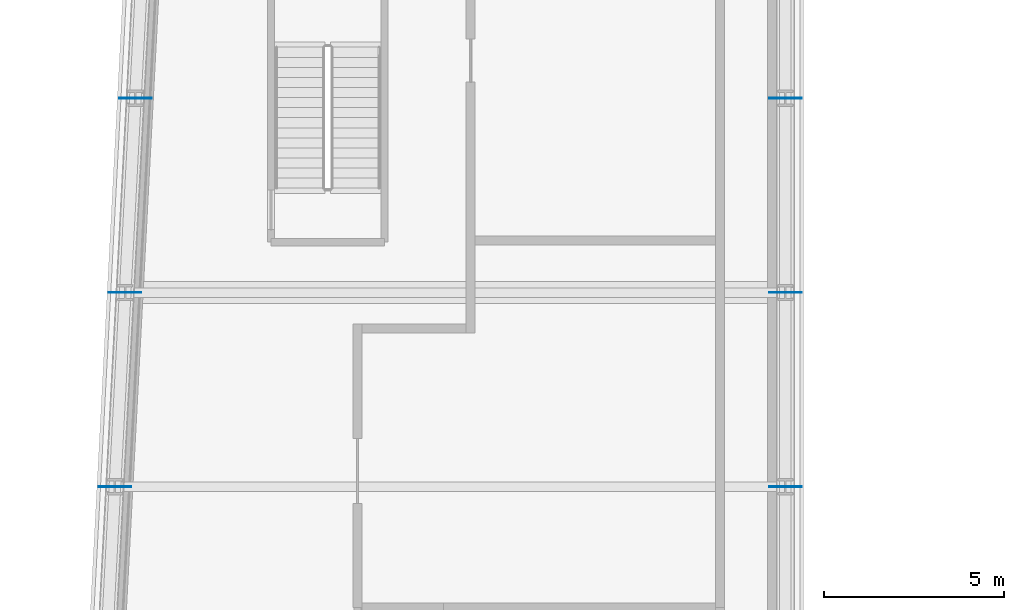
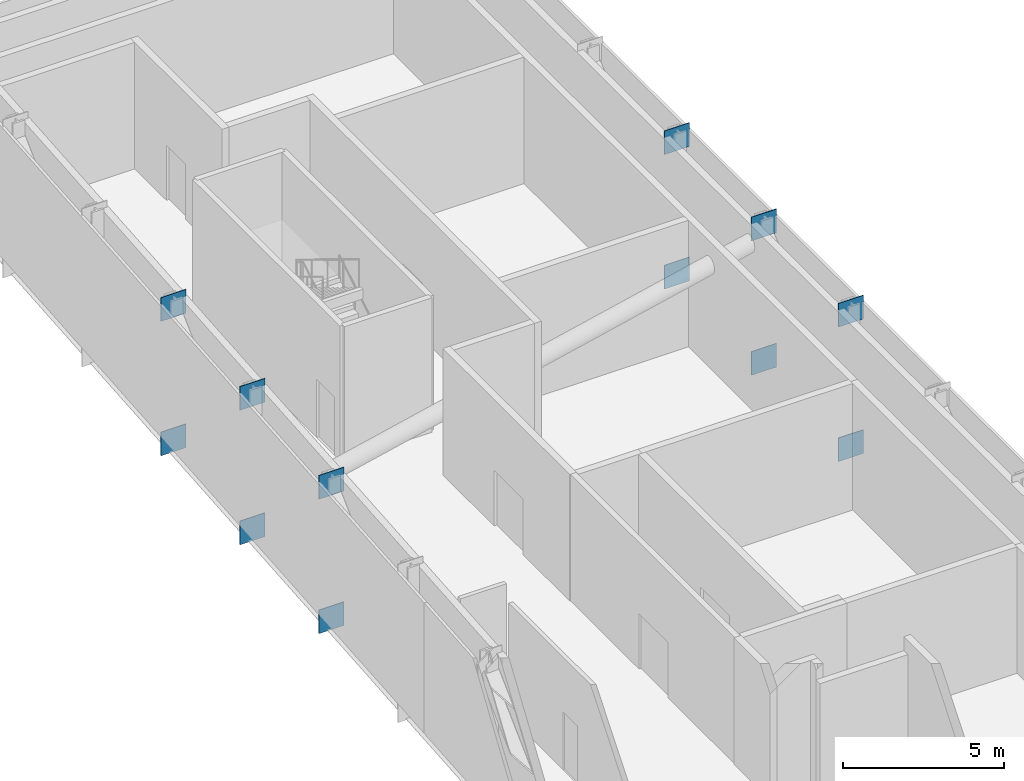
# One storey, part 13 of 30: 12 plates.
"""IFC4 building model written with IfcOpenShell, lengths in metres."""

from ifc_helpers import new_model, si_unit, direction, frame, origin, origin_2d, place, context, subcontext, project, spatial, rectangle, extrude, material, layer, layer_set, type_object, element, save


model = new_model("IFC4")

# Units and contexts
model_context = context("Model", 3, precision=1e-05, world=origin(), true_north=direction((0.0, 1.0)))
body_context = subcontext(model_context, "Body", "Model", "MODEL_VIEW")
ifc_project = project(units=[si_unit("LENGTHUNIT", "METRE"), si_unit("AREAUNIT", "SQUARE_METRE"), si_unit("VOLUMEUNIT", "CUBIC_METRE"), si_unit("PLANEANGLEUNIT", "RADIAN"), si_unit("MASSUNIT", "GRAM", prefix="KILO")], contexts=[model_context])

# Site, building, storey
site_placement = place(None, origin())
site = spatial("IfcSite", under=ifc_project, at=site_placement, CompositionType="ELEMENT")
building_placement = place(site_placement, origin())
building = spatial("IfcBuilding", under=site, at=building_placement, Name="Kheshtan School and Residences Tower", CompositionType="ELEMENT")
storey_placement = place(building_placement, frame((0.0, 0.0, 89.0)))
storey = spatial("IfcBuildingStorey", under=building, at=storey_placement, Name="L20", CompositionType="ELEMENT", Elevation=89.0)

# Plates
ifc_material = material(Name="Steel ASTM A992 Grade 50", Category="steel")
ifc_layer = layer(ifc_material, 0.02490234375)
ifc_layer_set = layer_set([ifc_layer], Name="Gusset plate 25 Steel ASTM A992 Grade 50")
plate_type = type_object("IfcPlateType", Name="Gusset plate 25 Steel ASTM A992 Grade 50", PredefinedType="SHEET", material=ifc_layer_set)
for number, where, z_axis, x_axis, name in (
    (1, (47.60009765625, 83.39990234375, 4.300048828125), (0.0, 0.0, 1.0), (1.0, 0.0, 0.0), "Gusset plate 8"),
    (2, (47.60009765625, 83.39990234375, -0.800048828125), (0.0, 0.0, 1.0), (1.0, 0.0, 0.0), "Gusset plate 9"),
    (3, (47.60009765625, 78.0, 4.300048828125), (0.0, 0.0, 1.0), (1.0, 0.0, 0.0), "Gusset plate 10"),
    (4, (47.60009765625, 78.0, -0.800048828125), (0.0, 0.0, 1.0), (1.0, 0.0, 0.0), "Gusset plate 11"),
    (5, (47.60009765625, 72.60009765625, 4.300048828125), (0.0, 0.0, 1.0), (1.0, 0.0, 0.0), "Gusset plate 12"),
    (6, (47.60009765625, 72.60009765625, -0.800048828125), (0.0, 0.0, 1.0), (1.0, 0.0, 0.0), "Gusset plate 13"),
    (7, (28.9580078125, 72.60009765625, 4.300048828125), (0.0, 0.0, 1.0), (1.0, 0.0, 0.0), "Gusset plate 78"),
    (8, (28.9580078125, 72.60009765625, -0.800048828125), (0.0, 0.0, 1.0), (1.0, 0.0, 0.0), "Gusset plate 79"),
    (9, (29.242919921875, 78.0, 4.300048828125), (0.0, 0.0, 1.0), (1.0, 0.0, 0.0), "Gusset plate 80"),
    (10, (29.242919921875, 78.0, -0.800048828125), (0.0, 0.0, 1.0), (1.0, 0.0, 0.0), "Gusset plate 81"),
    (11, (29.527099609375, 83.39990234375, 4.300048828125), (0.0, 0.0, 1.0), (1.0, 0.0, 0.0), "Gusset plate 82"),
    (12, (29.527099609375, 83.39990234375, -0.800048828125), (0.0, 0.0, 1.0), (1.0, 0.0, 0.0), "Gusset plate 83"),
):
    element("IfcPlate", number, at=place(storey_placement, frame(where, z_axis=z_axis, x_axis=x_axis)), inside=storey, type_object=plate_type, Name=name, PredefinedType="SHEET", context=body_context, shape_type="SweptSolid", body=[
        extrude(rectangle(XDim=0.89990234375, YDim=0.02490234375, at=origin_2d()), origin(), (0.0, 0.0, 1.0), 0.89990234375),
    ])

save(model, "model.ifc")
